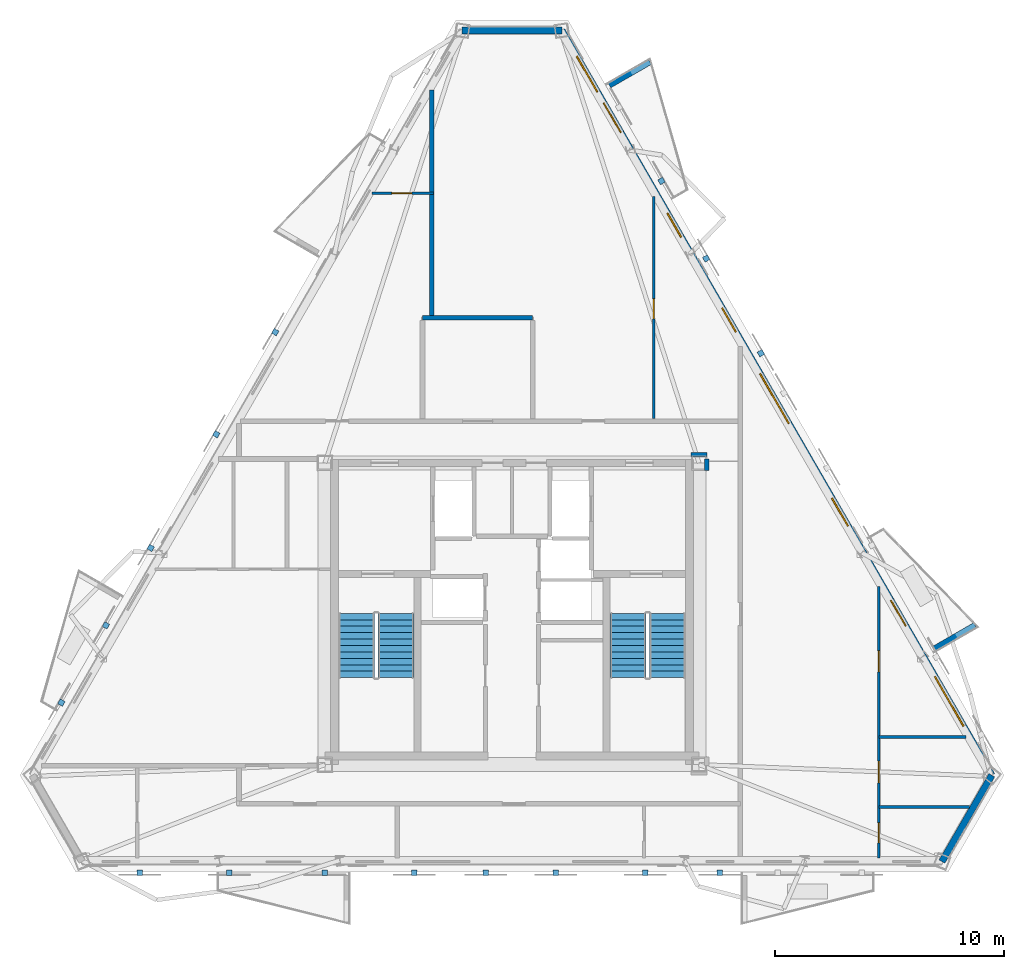
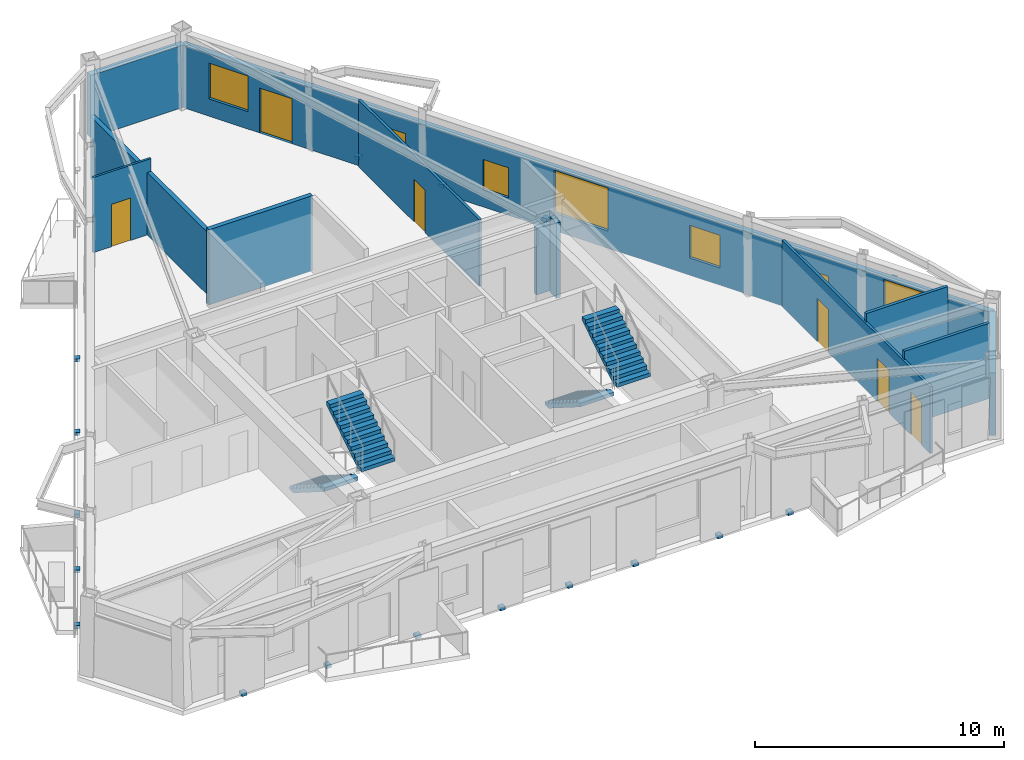
# One storey, part 5 of 9: 16 discrete accessories, 14 walls, 7 doors, 6 windows, 4 stair flights, 13 openings, 2 elements without a shape of their own.
"""IFC4 building model written with IfcOpenShell, lengths in metres."""

from ifc_helpers import new_model, si_unit, direction, frame, frame_2d, origin, origin_2d, place, context, subcontext, project, spatial, polyline, rectangle, outline, extrude, material, layer, layer_set, type_object, element, fill, aggregate, save


model = new_model("IFC4")

# Units and contexts
model_context = context("Model", 3, precision=1e-05, world=origin(), true_north=direction((0.0, 1.0)))
body_context = subcontext(model_context, "Body", "Model", "MODEL_VIEW")
ifc_project = project(units=[si_unit("LENGTHUNIT", "METRE"), si_unit("AREAUNIT", "SQUARE_METRE"), si_unit("VOLUMEUNIT", "CUBIC_METRE"), si_unit("PLANEANGLEUNIT", "RADIAN"), si_unit("MASSUNIT", "GRAM", prefix="KILO")], contexts=[model_context])

# Site, building, storey
site_placement = place(None, origin())
site = spatial("IfcSite", under=ifc_project, at=site_placement, CompositionType="ELEMENT")
building_placement = place(site_placement, origin())
building = spatial("IfcBuilding", under=site, at=building_placement, Name="Oramaril Tower", CompositionType="ELEMENT")
storey_placement = place(building_placement, frame((0.0, 0.0, 285.0)))
storey = spatial("IfcBuildingStorey", under=building, at=storey_placement, Name="L75", CompositionType="ELEMENT", Elevation=285.0)

# Wall
ifc_material_1 = material(Name="Warm Cream Limestone", Category="masonry")
ifc_layer_1 = layer(ifc_material_1, 0.2900390625)
ifc_layer_set_1 = layer_set([ifc_layer_1], Name="WT-EXT29")
wall_type_1 = type_object("IfcWallType", Name="WT-EXT29", PredefinedType="SOLIDWALL", material=ifc_layer_set_1)
wall_1_placement = place(storey_placement, frame((56.240478515625, 6.769775390625, 0.0), z_axis=(0.0, 0.0, 1.0), x_axis=(0.499997871204, 0.866026632842, 0.0)))
element("IfcWall", 1, at=wall_1_placement, inside=storey, type_object=wall_type_1, Name="L75 Tower Limestone Facade Wall 3M", PredefinedType="SOLIDWALL", context=body_context, shape_type="SweptSolid", body=[
    extrude(rectangle(XDim=4.34814453125, YDim=0.2900390625, at=frame_2d((2.174072265625, 0.0))), origin(), (0.0, 0.0, 1.0), 3.05810546875),
])

# Wall, openings, doors, windows
wall_2_placement = place(storey_placement, frame((58.41455078125, 10.535400390625, 0.0), z_axis=(0.0, 0.0, 1.0), x_axis=(-0.499999864727, 0.866025481884, 0.0)))
wall_2 = element("IfcWall", 2, at=wall_2_placement, inside=storey, type_object=wall_type_1, Name="L75 Tower Limestone Facade Wall 4M", PredefinedType="SOLIDWALL", context=body_context, shape_type="SweptSolid", body=[
    extrude(rectangle(XDim=37.48095703125, YDim=0.2900390625, at=frame_2d((18.740478515625, 0.0))), origin(), (0.0, 0.0, 1.0), 3.05810546875),
])
opening_1_placement = place(wall_2_placement, frame((7.50439453125, 0.0, 0.0)))
opening_1 = element("IfcOpeningElement", 3, at=opening_1_placement, cuts=wall_2, Name="Opening D-L75-BAL-NE1", PredefinedType="OPENING", context=body_context, shape_type="SweptSolid", body=[
    extrude(rectangle(XDim=1.300048828125, YDim=2.199951171875, at=frame_2d((0.64990234375, 1.10009765625))), frame((0.0, 0.14501953125, 0.0), z_axis=(0.0, -1.0, 0.0), x_axis=(1.0, 0.0, 0.0)), (0.0, 0.0, 1.0), 0.2900390625),
])
opening_2_placement = place(wall_2_placement, frame((32.34130859375, 0.0, 0.0)))
opening_2 = element("IfcOpeningElement", 4, at=opening_2_placement, cuts=wall_2, Name="Opening D-L75-BAL-NE2", PredefinedType="OPENING", context=body_context, shape_type="SweptSolid", body=[
    extrude(rectangle(XDim=1.5, YDim=2.199951171875, at=frame_2d((0.75, 1.10009765625))), frame((0.0, 0.14501953125, 0.0), z_axis=(0.0, -1.0, 0.0), x_axis=(1.0, 0.0, 0.0)), (0.0, 0.0, 1.0), 0.2900390625),
])
opening_3_placement = place(wall_2_placement, frame((12.540283203125, 0.0, 0.85009765625)))
opening_3 = element("IfcOpeningElement", 5, at=opening_3_placement, cuts=wall_2, Name="Opening WN-08", PredefinedType="OPENING", context=body_context, shape_type="SweptSolid", body=[
    extrude(rectangle(XDim=1.39990234375, YDim=1.60009765625, at=frame_2d((0.699951171875, 0.800048828125))), frame((0.0, 0.14501953125, 0.0), z_axis=(0.0, -1.0, 0.0), x_axis=(1.0, 0.0, 0.0)), (0.0, 0.0, 1.0), 0.2900390625),
])
opening_4_placement = place(wall_2_placement, frame((17.70458984375, 0.0, 0.85009765625)))
opening_4 = element("IfcOpeningElement", 6, at=opening_4_placement, cuts=wall_2, Name="Opening WN-11", PredefinedType="OPENING", context=body_context, shape_type="SweptSolid", body=[
    extrude(rectangle(XDim=2.5, YDim=2.097900390625, at=frame_2d((1.25, 1.048828125))), frame((0.0, 0.14501953125, 0.0), z_axis=(0.0, -1.0, 0.0), x_axis=(1.0, 0.0, 0.0)), (0.0, 0.0, 1.0), 0.2900390625),
])
opening_5_placement = place(wall_2_placement, frame((2.466796875, 0.0, 0.85009765625)))
opening_5 = element("IfcOpeningElement", 7, at=opening_5_placement, cuts=wall_2, Name="Opening WN-11", PredefinedType="OPENING", context=body_context, shape_type="SweptSolid", body=[
    extrude(rectangle(XDim=2.5, YDim=2.097900390625, at=frame_2d((1.25, 1.048828125))), frame((0.0, 0.14501953125, 0.0), z_axis=(0.0, -1.0, 0.0), x_axis=(1.0, 0.0, 0.0)), (0.0, 0.0, 1.0), 0.2900390625),
])
opening_6_placement = place(wall_2_placement, frame((27.081298828125, 0.0, 0.85009765625)))
opening_6 = element("IfcOpeningElement", 8, at=opening_6_placement, cuts=wall_2, Name="Opening WN-09", PredefinedType="OPENING", context=body_context, shape_type="SweptSolid", body=[
    extrude(rectangle(XDim=1.199951171875, YDim=1.47998046875, at=frame_2d((0.60009765625, 0.739990234375))), frame((0.0, 0.14501953125, 0.0), z_axis=(0.0, -1.0, 0.0), x_axis=(1.0, 0.0, 0.0)), (0.0, 0.0, 1.0), 0.2900390625),
])
opening_7_placement = place(wall_2_placement, frame((34.3876953125, 0.0, 0.85009765625)))
opening_7 = element("IfcOpeningElement", 9, at=opening_7_placement, cuts=wall_2, Name="Opening WN-06", PredefinedType="OPENING", context=body_context, shape_type="SweptSolid", body=[
    extrude(rectangle(XDim=1.800048828125, YDim=1.75, at=frame_2d((0.89990234375, 0.875))), frame((0.0, 0.14501953125, 0.0), z_axis=(0.0, -1.0, 0.0), x_axis=(1.0, 0.0, 0.0)), (0.0, 0.0, 1.0), 0.2900390625),
])
opening_8_placement = place(wall_2_placement, frame((22.3125, 0.0, 0.85009765625)))
opening_8 = element("IfcOpeningElement", 10, at=opening_8_placement, cuts=wall_2, Name="Opening WN-09", PredefinedType="OPENING", context=body_context, shape_type="SweptSolid", body=[
    extrude(rectangle(XDim=1.199951171875, YDim=1.47998046875, at=frame_2d((0.60009765625, 0.739990234375))), frame((0.0, 0.14501953125, 0.0), z_axis=(0.0, -1.0, 0.0), x_axis=(1.0, 0.0, 0.0)), (0.0, 0.0, 1.0), 0.2900390625),
])
ifc_material_2 = material(Name="Anodised Aluminium 6063-T6", Category="aluminium")
door_type_1 = type_object("IfcDoorType", Name="DT-BAL", OperationType="NOTDEFINED", PredefinedType="DOOR", material=ifc_material_2)
door_1_placement = place(opening_2_placement, origin())
door_1 = element("IfcDoor", 11, at=door_1_placement, inside=storey, type_object=door_type_1, Name="L75 Balcony Glazed Door L75-BAL-NE2", OperationType="SINGLE_SWING_LEFT", OverallHeight=2.199951171875, OverallWidth=1.5, PredefinedType="DOOR", context=body_context, shape_type="SweptSolid", body=[
    extrude(rectangle(XDim=1.5, YDim=2.199951171875, at=frame_2d((0.75, 1.10009765625))), frame((0.0, 0.02490234375, 0.0), z_axis=(0.0, -1.0, 0.0), x_axis=(1.0, 0.0, 0.0)), (0.0, 0.0, 1.0), 0.050048828125),
])
fill(opening_2, door_1)
ifc_material_3 = material(Name="Anodised Aluminium 6063-T6", Category="aluminium")
door_type_2 = type_object("IfcDoorType", Name="DT-E2", OperationType="NOTDEFINED", PredefinedType="DOOR", material=ifc_material_3)
door_2_placement = place(opening_1_placement, origin())
door_2 = element("IfcDoor", 12, at=door_2_placement, inside=storey, type_object=door_type_2, Name="L75 Balcony Glazed Door L75-BAL-NE1", OperationType="SINGLE_SWING_RIGHT", OverallHeight=2.199951171875, OverallWidth=1.300048828125, PredefinedType="DOOR", context=body_context, shape_type="SweptSolid", body=[
    extrude(rectangle(XDim=1.300048828125, YDim=2.199951171875, at=frame_2d((0.64990234375, 1.10009765625))), frame((0.0, 0.02490234375, 0.0), z_axis=(0.0, -1.0, 0.0), x_axis=(1.0, 0.0, 0.0)), (0.0, 0.0, 1.0), 0.050048828125),
])
fill(opening_1, door_2)
ifc_material_4 = material(Name="Coastal Low-E Insulated Glass", Category="glass")
window_type_1 = type_object("IfcWindowType", Name="WNT-06", PartitioningType="SINGLE_PANEL", PredefinedType="WINDOW", material=ifc_material_4)
window_1_placement = place(opening_7_placement, origin())
window_1 = element("IfcWindow", 13, at=window_1_placement, inside=storey, type_object=window_type_1, Name="L75 Chicago Bay Window WN-06", OverallHeight=1.75, OverallWidth=1.800048828125, PartitioningType="SINGLE_PANEL", PredefinedType="WINDOW", context=body_context, shape_type="SweptSolid", body=[
    extrude(rectangle(XDim=1.800048828125, YDim=1.75, at=frame_2d((0.89990234375, 0.875))), frame((0.0, 0.030029296875, 0.0), z_axis=(0.0, -1.0, 0.0), x_axis=(1.0, 0.0, 0.0)), (0.0, 0.0, 1.0), 0.06005859375),
])
fill(opening_7, window_1)
ifc_material_5 = material(Name="Coastal Low-E Insulated Glass", Category="glass")
window_type_2 = type_object("IfcWindowType", Name="WNT-08", PartitioningType="SINGLE_PANEL", PredefinedType="WINDOW", material=ifc_material_5)
window_2_placement = place(opening_3_placement, origin())
window_2 = element("IfcWindow", 14, at=window_2_placement, inside=storey, type_object=window_type_2, Name="L75 Chicago Bay Window WN-08", OverallHeight=1.60009765625, OverallWidth=1.39990234375, PartitioningType="SINGLE_PANEL", PredefinedType="WINDOW", context=body_context, shape_type="SweptSolid", body=[
    extrude(rectangle(XDim=1.39990234375, YDim=1.60009765625, at=frame_2d((0.699951171875, 0.800048828125))), frame((0.0, 0.030029296875, 0.0), z_axis=(0.0, -1.0, 0.0), x_axis=(1.0, 0.0, 0.0)), (0.0, 0.0, 1.0), 0.06005859375),
])
fill(opening_3, window_2)
ifc_material_6 = material(Name="Coastal Low-E Insulated Glass", Category="glass")
window_type_3 = type_object("IfcWindowType", Name="WNT-09", PartitioningType="SINGLE_PANEL", PredefinedType="WINDOW", material=ifc_material_6)
window_3_placement = place(opening_6_placement, origin())
window_3 = element("IfcWindow", 15, at=window_3_placement, inside=storey, type_object=window_type_3, Name="L75 Chicago Bay Window WN-09", OverallHeight=1.47998046875, OverallWidth=1.199951171875, PartitioningType="SINGLE_PANEL", PredefinedType="WINDOW", context=body_context, shape_type="SweptSolid", body=[
    extrude(rectangle(XDim=1.199951171875, YDim=1.47998046875, at=frame_2d((0.60009765625, 0.739990234375))), frame((0.0, 0.030029296875, 0.0), z_axis=(0.0, -1.0, 0.0), x_axis=(1.0, 0.0, 0.0)), (0.0, 0.0, 1.0), 0.06005859375),
])
fill(opening_6, window_3)
window_4_placement = place(opening_8_placement, origin())
window_4 = element("IfcWindow", 16, at=window_4_placement, inside=storey, type_object=window_type_3, Name="L75 Chicago Bay Window WN-09", OverallHeight=1.47998046875, OverallWidth=1.199951171875, PartitioningType="SINGLE_PANEL", PredefinedType="WINDOW", context=body_context, shape_type="SweptSolid", body=[
    extrude(rectangle(XDim=1.199951171875, YDim=1.47998046875, at=frame_2d((0.60009765625, 0.739990234375))), frame((0.0, 0.030029296875, 0.0), z_axis=(0.0, -1.0, 0.0), x_axis=(1.0, 0.0, 0.0)), (0.0, 0.0, 1.0), 0.06005859375),
])
fill(opening_8, window_4)
ifc_material_7 = material(Name="Coastal Low-E Insulated Glass", Category="glass")
window_type_4 = type_object("IfcWindowType", Name="WNT-11", PartitioningType="SINGLE_PANEL", PredefinedType="WINDOW", material=ifc_material_7)
window_5_placement = place(opening_4_placement, origin())
window_5 = element("IfcWindow", 17, at=window_5_placement, inside=storey, type_object=window_type_4, Name="L75 Chicago Bay Window WN-11", OverallHeight=2.097900390625, OverallWidth=2.5, PartitioningType="SINGLE_PANEL", PredefinedType="WINDOW", context=body_context, shape_type="SweptSolid", body=[
    extrude(rectangle(XDim=2.5, YDim=2.097900390625, at=frame_2d((1.25, 1.048828125))), frame((0.0, 0.030029296875, 0.0), z_axis=(0.0, -1.0, 0.0), x_axis=(1.0, 0.0, 0.0)), (0.0, 0.0, 1.0), 0.06005859375),
])
fill(opening_4, window_5)
window_6_placement = place(opening_5_placement, origin())
window_6 = element("IfcWindow", 18, at=window_6_placement, inside=storey, type_object=window_type_4, Name="L75 Chicago Bay Window WN-11", OverallHeight=2.097900390625, OverallWidth=2.5, PartitioningType="SINGLE_PANEL", PredefinedType="WINDOW", context=body_context, shape_type="SweptSolid", body=[
    extrude(rectangle(XDim=2.5, YDim=2.097900390625, at=frame_2d((1.25, 1.048828125))), frame((0.0, 0.030029296875, 0.0), z_axis=(0.0, -1.0, 0.0), x_axis=(1.0, 0.0, 0.0)), (0.0, 0.0, 1.0), 0.06005859375),
])
fill(opening_5, window_6)

# Walls
wall_3_placement = place(storey_placement, frame((39.674072265625, 42.994873046875, 0.0), z_axis=(0.0, 0.0, 1.0), x_axis=(-1.0, 0.0, 0.0)))
element("IfcWall", 19, at=wall_3_placement, inside=storey, type_object=wall_type_1, Name="L75 Tower Limestone Facade Wall 5M", PredefinedType="SOLIDWALL", context=body_context, shape_type="SweptSolid", body=[
    extrude(rectangle(XDim=4.34814453125, YDim=0.2900390625, at=frame_2d((2.174072265625, 0.0))), origin(), (0.0, 0.0, 1.0), 3.05810546875),
])
ifc_material_8 = material(Name="Concrete C40/50", Category="concrete")
ifc_layer_2 = layer(ifc_material_8, 0.22998046875)
ifc_layer_set_2 = layer_set([ifc_layer_2], Name="WT-PRP23")
wall_type_2 = type_object("IfcWallType", Name="WT-PRP23", PredefinedType="PARAPET", material=ifc_layer_set_2)
for number, where, z_axis, x_axis, name in (
    (20, (55.91259765625, 16.064697265625, 0.0), (0.0, 0.0, 1.0), (0.866042246008, 0.499970827278, 0.0), "L75 Trapezoidal Balcony Frame Cheek L75-BAL-NE1-L"),
    (21, (41.749267578125, 40.5966796875, 0.0), (0.0, 0.0, 1.0), (0.866012356593, 0.500022597718, 0.0), "L75 Trapezoidal Balcony Frame Cheek L75-BAL-NE2-R"),
):
    element("IfcWall", number, at=place(storey_placement, frame(where, z_axis=z_axis, x_axis=x_axis)), inside=storey, type_object=wall_type_2, Name=name, PredefinedType="PARAPET", context=body_context, shape_type="SweptSolid", body=[
        extrude(outline(polyline([(0.0, 0.0), (2.0419921875, 0.0), (2.0419921875, 1.10009765625), (0.0, 1.320068359375), (0.0, 0.0)])), frame((0.0, 0.114990234375, 0.0), z_axis=(0.0, -1.0, 0.0), x_axis=(1.0, 0.0, 0.0)), (0.0, 0.0, 1.0), 0.22998046875),
    ])

# Wall, opening, door
ifc_material_9 = material(Name="Acoustic Gypsum Board Partition")
ifc_layer_3 = layer(ifc_material_9, 0.10009765625)
ifc_layer_set_3 = layer_set([ifc_layer_3], Name="WT-PT10")
wall_type_3 = type_object("IfcWallType", Name="WT-PT10", PredefinedType="PARTITIONING", material=ifc_layer_set_3)
wall_4_placement = place(storey_placement, frame((31.40185546875, 35.89990234375, 0.0), z_axis=(0.0, 0.0, 1.0), x_axis=(1.0, 0.0, 0.0)))
wall_4 = element("IfcWall", 22, at=wall_4_placement, inside=storey, type_object=wall_type_3, Name="L75 Interior Partition PT-10", PredefinedType="PARTITIONING", context=body_context, shape_type="SweptSolid", body=[
    extrude(rectangle(XDim=2.68017578125, YDim=0.10009765625, at=frame_2d((1.340087890625, 0.0))), origin(), (0.0, 0.0, 1.0), 3.679931640625),
])
opening_9_placement = place(wall_4_placement, frame((0.85791015625, 0.0, 0.0)))
opening_9 = element("IfcOpeningElement", 23, at=opening_9_placement, cuts=wall_4, Name="Opening D-L75-10", PredefinedType="OPENING", context=body_context, shape_type="SweptSolid", body=[
    extrude(rectangle(XDim=0.8798828125, YDim=2.080078125, at=frame_2d((0.43994140625, 1.0400390625))), frame((0.0, 0.050048828125, 0.0), z_axis=(0.0, -1.0, 0.0), x_axis=(1.0, 0.0, 0.0)), (0.0, 0.0, 1.0), 0.10009765625),
])
ifc_material_10 = material(Name="FSC Brazilian Freijo Hardwood", Category="wood")
door_type_3 = type_object("IfcDoorType", Name="DT-BATH", OperationType="NOTDEFINED", PredefinedType="DOOR", material=ifc_material_10)
door_3_placement = place(opening_9_placement, origin())
door_3 = element("IfcDoor", 24, at=door_3_placement, inside=storey, type_object=door_type_3, Name="L75 Flat L75-U5 Bathroom Door D-L75-10", OperationType="SINGLE_SWING_LEFT", OverallHeight=2.080078125, OverallWidth=0.8798828125, PredefinedType="DOOR", context=body_context, shape_type="SweptSolid", body=[
    extrude(rectangle(XDim=0.8798828125, YDim=2.080078125, at=frame_2d((0.43994140625, 1.0400390625))), frame((0.0, 0.02490234375, 0.0), z_axis=(0.0, -1.0, 0.0), x_axis=(1.0, 0.0, 0.0)), (0.0, 0.0, 1.0), 0.050048828125),
])
fill(opening_9, door_3)

ifc_material_11 = material(Name="Acoustic Gypsum Board Partition")
ifc_layer_4 = layer(ifc_material_11, 0.1201171875)
ifc_layer_set_4 = layer_set([ifc_layer_4], Name="WT-PT12")
wall_type_4 = type_object("IfcWallType", Name="WT-PT12", PredefinedType="PARTITIONING", material=ifc_layer_set_4)
wall_5_placement = place(storey_placement, frame((43.679931640625, 26.073974609375, 0.0), z_axis=(0.0, 0.0, 1.0), x_axis=(0.0, 1.0, 0.0)))
wall_5 = element("IfcWall", 25, at=wall_5_placement, inside=storey, type_object=wall_type_4, Name="L75 Interior Partition PT-12", PredefinedType="PARTITIONING", context=body_context, shape_type="SweptSolid", body=[
    extrude(rectangle(XDim=9.684326171875, YDim=0.1201171875, at=frame_2d((4.84228515625, 0.0))), origin(), (0.0, 0.0, 1.0), 3.26611328125),
])
opening_10_placement = place(wall_5_placement, frame((4.348388671875, 0.0, 0.0)))
opening_10 = element("IfcOpeningElement", 26, at=opening_10_placement, cuts=wall_5, Name="Opening D-L75-13", PredefinedType="OPENING", context=body_context, shape_type="SweptSolid", body=[
    extrude(rectangle(XDim=0.8798828125, YDim=2.080078125, at=frame_2d((0.43994140625, 1.0400390625))), frame((0.0, 0.06005859375, 0.0), z_axis=(0.0, -1.0, 0.0), x_axis=(1.0, 0.0, 0.0)), (0.0, 0.0, 1.0), 0.1201171875),
])
door_4_placement = place(opening_10_placement, origin())
door_4 = element("IfcDoor", 27, at=door_4_placement, inside=storey, type_object=door_type_3, Name="L75 Flat L75-U6 Bathroom Door D-L75-13", OperationType="SINGLE_SWING_RIGHT", OverallHeight=2.080078125, OverallWidth=0.8798828125, PredefinedType="DOOR", context=body_context, shape_type="SweptSolid", body=[
    extrude(rectangle(XDim=0.8798828125, YDim=2.080078125, at=frame_2d((0.43994140625, 1.0400390625))), frame((0.0, 0.02490234375, 0.0), z_axis=(0.0, -1.0, 0.0), x_axis=(1.0, 0.0, 0.0)), (0.0, 0.0, 1.0), 0.050048828125),
])
fill(opening_10, door_4)

# Wall, openings, doors
wall_6_placement = place(storey_placement, frame((53.489990234375, 6.918701171875, 0.0), z_axis=(0.0, 0.0, 1.0), x_axis=(0.0, 1.0, 0.0)))
wall_6 = element("IfcWall", 28, at=wall_6_placement, inside=storey, type_object=wall_type_4, Name="L75 Interior Partition PT-12", PredefinedType="PARTITIONING", context=body_context, shape_type="SweptSolid", body=[
    extrude(rectangle(XDim=11.848388671875, YDim=0.1201171875, at=frame_2d((5.92431640625, 0.0))), origin(), (0.0, 0.0, 1.0), 3.26611328125),
])
opening_11_placement = place(wall_6_placement, frame((0.66259765625, 0.0, 0.0)))
opening_11 = element("IfcOpeningElement", 29, at=opening_11_placement, cuts=wall_6, Name="Opening D-L75-15", PredefinedType="OPENING", context=body_context, shape_type="SweptSolid", body=[
    extrude(rectangle(XDim=0.8798828125, YDim=2.080078125, at=frame_2d((0.43994140625, 1.0400390625))), frame((0.0, 0.06005859375, 0.0), z_axis=(0.0, -1.0, 0.0), x_axis=(1.0, 0.0, 0.0)), (0.0, 0.0, 1.0), 0.1201171875),
])
opening_12_placement = place(wall_6_placement, frame((3.283935546875, 0.0, 0.0)))
opening_12 = element("IfcOpeningElement", 30, at=opening_12_placement, cuts=wall_6, Name="Opening D-L75-16", PredefinedType="OPENING", context=body_context, shape_type="SweptSolid", body=[
    extrude(rectangle(XDim=0.949951171875, YDim=2.10009765625, at=frame_2d((0.47509765625, 1.050048828125))), frame((0.0, 0.06005859375, 0.0), z_axis=(0.0, -1.0, 0.0), x_axis=(1.0, 0.0, 0.0)), (0.0, 0.0, 1.0), 0.1201171875),
])
opening_13_placement = place(wall_6_placement, frame((8.117431640625, 0.0, 0.0)))
opening_13 = element("IfcOpeningElement", 31, at=opening_13_placement, cuts=wall_6, Name="Opening D-L75-17", PredefinedType="OPENING", context=body_context, shape_type="SweptSolid", body=[
    extrude(rectangle(XDim=0.919921875, YDim=2.1201171875, at=frame_2d((0.4599609375, 1.06005859375))), frame((0.0, 0.06005859375, 0.0), z_axis=(0.0, -1.0, 0.0), x_axis=(1.0, 0.0, 0.0)), (0.0, 0.0, 1.0), 0.1201171875),
])
door_5_placement = place(opening_11_placement, origin())
door_5 = element("IfcDoor", 32, at=door_5_placement, inside=storey, type_object=door_type_3, Name="L75 Flat L75-U4 Bathroom Door D-L75-15", OperationType="SINGLE_SWING_RIGHT", OverallHeight=2.080078125, OverallWidth=0.8798828125, PredefinedType="DOOR", context=body_context, shape_type="SweptSolid", body=[
    extrude(rectangle(XDim=0.8798828125, YDim=2.080078125, at=frame_2d((0.43994140625, 1.0400390625))), frame((0.0, 0.02490234375, 0.0), z_axis=(0.0, -1.0, 0.0), x_axis=(1.0, 0.0, 0.0)), (0.0, 0.0, 1.0), 0.050048828125),
])
fill(opening_11, door_5)
ifc_material_12 = material(Name="FSC Brazilian Freijo Hardwood", Category="wood")
door_type_4 = type_object("IfcDoorType", Name="DT-BED", OperationType="NOTDEFINED", PredefinedType="DOOR", material=ifc_material_12)
door_6_placement = place(opening_13_placement, origin())
door_6 = element("IfcDoor", 33, at=door_6_placement, inside=storey, type_object=door_type_4, Name="L75 Flat L75-U4 Master Bedroom Door D-L75-17", OperationType="SINGLE_SWING_RIGHT", OverallHeight=2.1201171875, OverallWidth=0.919921875, PredefinedType="DOOR", context=body_context, shape_type="SweptSolid", body=[
    extrude(rectangle(XDim=0.919921875, YDim=2.1201171875, at=frame_2d((0.4599609375, 1.06005859375))), frame((0.0, 0.02490234375, 0.0), z_axis=(0.0, -1.0, 0.0), x_axis=(1.0, 0.0, 0.0)), (0.0, 0.0, 1.0), 0.050048828125),
])
fill(opening_13, door_6)
ifc_material_13 = material(Name="FSC Brazilian Freijo Hardwood", Category="wood")
door_type_5 = type_object("IfcDoorType", Name="DT-STDY", OperationType="NOTDEFINED", PredefinedType="DOOR", material=ifc_material_13)
door_7_placement = place(opening_12_placement, origin())
door_7 = element("IfcDoor", 34, at=door_7_placement, inside=storey, type_object=door_type_5, Name="L75 Flat L75-U4 Kitchen Door D-L75-16", OperationType="SINGLE_SWING_LEFT", OverallHeight=2.10009765625, OverallWidth=0.949951171875, PredefinedType="DOOR", context=body_context, shape_type="SweptSolid", body=[
    extrude(rectangle(XDim=0.949951171875, YDim=2.10009765625, at=frame_2d((0.47509765625, 1.050048828125))), frame((0.0, 0.02490234375, 0.0), z_axis=(0.0, -1.0, 0.0), x_axis=(1.0, 0.0, 0.0)), (0.0, 0.0, 1.0), 0.050048828125),
])
fill(opening_12, door_7)

# Walls
ifc_material_14 = material(Name="Acoustic Gypsum Board Partition")
ifc_layer_5 = layer(ifc_material_14, 0.139892578125)
ifc_layer_set_5 = layer_set([ifc_layer_5], Name="WT-PT14")
wall_type_5 = type_object("IfcWallType", Name="WT-PT14", PredefinedType="PARTITIONING", material=ifc_layer_set_5)
wall_7_placement = place(storey_placement, frame((53.4931640625, 9.14990234375, 0.0), z_axis=(0.0, 0.0, 1.0), x_axis=(1.0, 0.0, 0.0)))
element("IfcWall", 35, at=wall_7_placement, inside=storey, type_object=wall_type_5, Name="L75 Interior Partition PT-14", PredefinedType="PARTITIONING", context=body_context, shape_type="SweptSolid", body=[
    extrude(rectangle(XDim=3.949462890625, YDim=0.139892578125, at=frame_2d((1.974609375, 0.0))), origin(), (0.0, 0.0, 1.0), 3.679931640625),
])
wall_8_placement = place(storey_placement, frame((53.4931640625, 12.199951171875, 0.0), z_axis=(0.0, 0.0, 1.0), x_axis=(1.0, 0.0, 0.0)))
element("IfcWall", 36, at=wall_8_placement, inside=storey, type_object=wall_type_5, Name="L75 Interior Partition PT-14", PredefinedType="PARTITIONING", context=body_context, shape_type="SweptSolid", body=[
    extrude(rectangle(XDim=3.788330078125, YDim=0.139892578125, at=frame_2d((1.89404296875, 0.0))), origin(), (0.0, 0.0, 1.0), 3.679931640625),
])
ifc_material_15 = material(Name="Autoclaved Cellular Concrete Block", Category="concrete")
ifc_layer_6 = layer(ifc_material_15, 0.199951171875)
ifc_layer_set_6 = layer_set([ifc_layer_6], Name="WT-PT20")
wall_type_6 = type_object("IfcWallType", Name="WT-PT20", PredefinedType="PARTITIONING", material=ifc_layer_set_6)
wall_9_placement = place(storey_placement, frame((45.304931640625, 24.5, 0.0), z_axis=(0.0, 0.0, 1.0), x_axis=(1.0, 0.0, 0.0)))
element("IfcWall", 37, at=wall_9_placement, inside=storey, type_object=wall_type_6, Name="L75 Interior Partition PT-20", PredefinedType="PARTITIONING", context=body_context, shape_type="SweptSolid", body=[
    extrude(rectangle(XDim=0.690185546875, YDim=0.199951171875, at=frame_2d((0.34521484375, 0.0))), origin(), (0.0, 0.0, 1.0), 3.26611328125),
])
wall_10_placement = place(storey_placement, frame((33.60009765625, 30.469970703125, 0.0), z_axis=(0.0, 0.0, 1.0), x_axis=(1.0, 0.0, 0.0)))
element("IfcWall", 38, at=wall_10_placement, inside=storey, type_object=wall_type_6, Name="L75 Interior Partition PT-20", PredefinedType="PARTITIONING", context=body_context, shape_type="SweptSolid", body=[
    extrude(rectangle(XDim=4.7998046875, YDim=0.199951171875, at=frame_2d((2.39990234375, 0.0))), origin(), (0.0, 0.0, 1.0), 3.679931640625),
])
wall_11_placement = place(storey_placement, frame((34.0, 30.573974609375, 0.0), z_axis=(0.0, 0.0, 1.0), x_axis=(0.0, 1.0, 0.0)))
element("IfcWall", 39, at=wall_11_placement, inside=storey, type_object=wall_type_6, Name="L75 Interior Partition PT-20", PredefinedType="PARTITIONING", context=body_context, shape_type="SweptSolid", body=[
    extrude(rectangle(XDim=9.826416015625, YDim=0.199951171875, at=frame_2d((4.9130859375, 0.0))), origin(), (0.0, 0.0, 1.0), 3.05810546875),
])
wall_12_placement = place(storey_placement, frame((45.989990234375, 23.81005859375, 0.0), z_axis=(0.0, 0.0, 1.0), x_axis=(0.0, 1.0, 0.0)))
element("IfcWall", 40, at=wall_12_placement, inside=storey, type_object=wall_type_6, Name="L75 Interior Partition PT-20", PredefinedType="PARTITIONING", context=body_context, shape_type="SweptSolid", body=[
    extrude(rectangle(XDim=0.510009765625, YDim=0.199951171875, at=frame_2d((0.2548828125, 0.0))), origin(), (0.0, 0.0, 1.0), 3.679931640625),
])

# Stair, stair flights
ifc_material_16 = material(Name="Concrete C50/60", Category="concrete")
stair_type = type_object("IfcStairType", Name="STT-DG-3900", PredefinedType="HALF_TURN_STAIR", material=ifc_material_16)
stair_1_placement = place(storey_placement, origin())
stair_1 = element("IfcStair", 41, at=stair_1_placement, inside=storey, type_object=stair_type, Name="L75 Protected PFP Exit Stair ST-1", PredefinedType="HALF_TURN_STAIR")
ifc_material_17 = material(Name="Concrete C50/60", Category="concrete")
stair_flight_type = type_object("IfcStairFlightType", Name="SFT-DG-3900", PredefinedType="STRAIGHT", material=ifc_material_17)
stair_flight_1_placement = place(storey_placement, frame((30.72998046875, 17.590087890625, 0.0), z_axis=(0.0, 0.0, 1.0), x_axis=(0.0, -1.0, 0.0)))
stair_flight_1 = element("IfcStairFlight", 42, at=stair_flight_1_placement, type_object=stair_flight_type, Name="ST-1 flight 1", NumberOfRisers=11, NumberOfTreads=10, PredefinedType="STRAIGHT", RiserHeight=0.177272727, TreadLength=0.28, context=body_context, shape_type="SweptSolid", body=[
    extrude(outline(polyline([(0.0, 0.0), (0.0, 0.17724609375), (0.280029296875, 0.17724609375), (0.280029296875, 0.3544921875), (0.56005859375, 0.3544921875), (0.56005859375, 0.53173828125), (0.840087890625, 0.53173828125), (0.840087890625, 0.708984375), (1.1201171875, 0.708984375), (1.1201171875, 0.886474609375), (1.39990234375, 0.886474609375), (1.39990234375, 1.063720703125), (1.679931640625, 1.063720703125), (1.679931640625, 1.240966796875), (1.9599609375, 1.240966796875), (1.9599609375, 1.418212890625), (2.239990234375, 1.418212890625), (2.239990234375, 1.595458984375), (2.52001953125, 1.595458984375), (2.52001953125, 1.772705078125), (2.800048828125, 1.772705078125), (2.800048828125, 1.949951171875), (2.800048828125, 1.59521484375), (0.2802734375, 0.0), (0.0, 0.0)])), frame((0.0, 0.780029296875, 0.0), z_axis=(0.0, -1.0, 0.0), x_axis=(1.0, 0.0, 0.0)), (0.0, 0.0, 1.0), 1.56005859375),
])
stair_flight_2_placement = place(storey_placement, frame((32.43994140625, 14.7900390625, 1.949951171875), z_axis=(0.0, 0.0, 1.0), x_axis=(0.0, 1.0, 0.0)))
stair_flight_2 = element("IfcStairFlight", 43, at=stair_flight_2_placement, type_object=stair_flight_type, Name="ST-1 flight 2", NumberOfRisers=11, NumberOfTreads=10, PredefinedType="STRAIGHT", RiserHeight=0.177272727, TreadLength=0.28, context=body_context, shape_type="SweptSolid", body=[
    extrude(outline(polyline([(0.0, 0.0), (0.0, 0.17724609375), (0.280029296875, 0.17724609375), (0.280029296875, 0.3544921875), (0.56005859375, 0.3544921875), (0.56005859375, 0.53173828125), (0.840087890625, 0.53173828125), (0.840087890625, 0.708984375), (1.1201171875, 0.708984375), (1.1201171875, 0.886474609375), (1.39990234375, 0.886474609375), (1.39990234375, 1.063720703125), (1.679931640625, 1.063720703125), (1.679931640625, 1.240966796875), (1.9599609375, 1.240966796875), (1.9599609375, 1.418212890625), (2.239990234375, 1.418212890625), (2.239990234375, 1.595458984375), (2.52001953125, 1.595458984375), (2.52001953125, 1.772705078125), (2.800048828125, 1.772705078125), (2.800048828125, 1.949951171875), (2.800048828125, 1.59521484375), (0.2802734375, 0.0), (0.0, 0.0)])), frame((0.0, 0.780029296875, 0.0), z_axis=(0.0, -1.0, 0.0), x_axis=(1.0, 0.0, 0.0)), (0.0, 0.0, 1.0), 1.56005859375),
])
aggregate(stair_1, [stair_flight_1, stair_flight_2])

stair_2_placement = place(storey_placement, origin())
stair_2 = element("IfcStair", 44, at=stair_2_placement, inside=storey, type_object=stair_type, Name="L75 Protected PFP Exit Stair ST-2", PredefinedType="HALF_TURN_STAIR")
stair_flight_3_placement = place(storey_placement, frame((42.56005859375, 17.590087890625, 0.0), z_axis=(0.0, 0.0, 1.0), x_axis=(0.0, -1.0, 0.0)))
stair_flight_3 = element("IfcStairFlight", 45, at=stair_flight_3_placement, type_object=stair_flight_type, Name="ST-2 flight 1", NumberOfRisers=11, NumberOfTreads=10, PredefinedType="STRAIGHT", RiserHeight=0.177272727, TreadLength=0.28, context=body_context, shape_type="SweptSolid", body=[
    extrude(outline(polyline([(0.0, 0.0), (0.0, 0.17724609375), (0.280029296875, 0.17724609375), (0.280029296875, 0.3544921875), (0.56005859375, 0.3544921875), (0.56005859375, 0.53173828125), (0.840087890625, 0.53173828125), (0.840087890625, 0.708984375), (1.1201171875, 0.708984375), (1.1201171875, 0.886474609375), (1.39990234375, 0.886474609375), (1.39990234375, 1.063720703125), (1.679931640625, 1.063720703125), (1.679931640625, 1.240966796875), (1.9599609375, 1.240966796875), (1.9599609375, 1.418212890625), (2.239990234375, 1.418212890625), (2.239990234375, 1.595458984375), (2.52001953125, 1.595458984375), (2.52001953125, 1.772705078125), (2.800048828125, 1.772705078125), (2.800048828125, 1.949951171875), (2.800048828125, 1.59521484375), (0.2802734375, 0.0), (0.0, 0.0)])), frame((0.0, 0.780029296875, 0.0), z_axis=(0.0, -1.0, 0.0), x_axis=(1.0, 0.0, 0.0)), (0.0, 0.0, 1.0), 1.56005859375),
])
stair_flight_4_placement = place(storey_placement, frame((44.27001953125, 14.7900390625, 1.949951171875), z_axis=(0.0, 0.0, 1.0), x_axis=(0.0, 1.0, 0.0)))
stair_flight_4 = element("IfcStairFlight", 46, at=stair_flight_4_placement, type_object=stair_flight_type, Name="ST-2 flight 2", NumberOfRisers=11, NumberOfTreads=10, PredefinedType="STRAIGHT", RiserHeight=0.177272727, TreadLength=0.28, context=body_context, shape_type="SweptSolid", body=[
    extrude(outline(polyline([(0.0, 0.0), (0.0, 0.17724609375), (0.280029296875, 0.17724609375), (0.280029296875, 0.3544921875), (0.56005859375, 0.3544921875), (0.56005859375, 0.53173828125), (0.840087890625, 0.53173828125), (0.840087890625, 0.708984375), (1.1201171875, 0.708984375), (1.1201171875, 0.886474609375), (1.39990234375, 0.886474609375), (1.39990234375, 1.063720703125), (1.679931640625, 1.063720703125), (1.679931640625, 1.240966796875), (1.9599609375, 1.240966796875), (1.9599609375, 1.418212890625), (2.239990234375, 1.418212890625), (2.239990234375, 1.595458984375), (2.52001953125, 1.595458984375), (2.52001953125, 1.772705078125), (2.800048828125, 1.772705078125), (2.800048828125, 1.949951171875), (2.800048828125, 1.59521484375), (0.2802734375, 0.0), (0.0, 0.0)])), frame((0.0, 0.780029296875, 0.0), z_axis=(0.0, -1.0, 0.0), x_axis=(1.0, 0.0, 0.0)), (0.0, 0.0, 1.0), 1.56005859375),
])
aggregate(stair_2, [stair_flight_3, stair_flight_4])

# Discrete accessories
for number, where, z_axis, x_axis, name in (
    (47, (21.273681640625, 6.289794921875, -0.14013671875), (0.0, 0.0, 1.0), (1.0, 0.0, 0.0), "L75 Solar Screen Slab Bracket"),
    (48, (25.173583984375, 6.289794921875, -0.14013671875), (0.0, 0.0, 1.0), (1.0, 0.0, 0.0), "L75 Solar Screen Slab Bracket"),
    (49, (29.33544921875, 6.289794921875, -0.14013671875), (0.0, 0.0, 1.0), (1.0, 0.0, 0.0), "L75 Solar Screen Slab Bracket"),
    (50, (33.235595703125, 6.289794921875, -0.14013671875), (0.0, 0.0, 1.0), (1.0, 0.0, 0.0), "L75 Solar Screen Slab Bracket"),
    (51, (36.364990234375, 6.289794921875, -0.14013671875), (0.0, 0.0, 1.0), (1.0, 0.0, 0.0), "L75 Solar Screen Slab Bracket"),
    (52, (39.399169921875, 6.289794921875, -0.14013671875), (0.0, 0.0, 1.0), (1.0, 0.0, 0.0), "L75 Solar Screen Slab Bracket"),
    (53, (43.299072265625, 6.289794921875, -0.14013671875), (0.0, 0.0, 1.0), (1.0, 0.0, 0.0), "L75 Solar Screen Slab Bracket"),
    (54, (46.56591796875, 6.289794921875, -0.14013671875), (0.0, 0.0, 1.0), (1.0, 0.0, 0.0), "L75 Solar Screen Slab Bracket"),
    (55, (45.964599609375, 33.0595703125, -0.14013671875), (0.0, 0.0, 1.0), (-0.5, 0.866025403784, 0.0), "L75 Solar Screen Slab Bracket"),
    (56, (44.014404296875, 36.43701171875, -0.14013671875), (0.0, 0.0, 1.0), (-0.5, 0.866025403784, 0.0), "L75 Solar Screen Slab Bracket"),
    (57, (48.34912109375, 28.929443359375, -0.14013671875), (0.0, 0.0, 1.0), (-0.5, 0.866025403784, 0.0), "L75 Solar Screen Slab Bracket"),
    (58, (17.858154296875, 13.699951171875, -0.14013671875), (0.0, 0.0, 1.0), (-0.5, -0.866025403784, 0.0), "L75 Solar Screen Slab Bracket"),
    (59, (21.751708984375, 20.443603515625, -0.14013671875), (0.0, 0.0, 1.0), (-0.5, -0.866025403784, 0.0), "L75 Solar Screen Slab Bracket"),
    (60, (19.801513671875, 17.06591796875, -0.14013671875), (0.0, 0.0, 1.0), (-0.5, -0.866025403784, 0.0), "L75 Solar Screen Slab Bracket"),
    (61, (24.6103515625, 25.39501953125, -0.14013671875), (0.0, 0.0, 1.0), (-0.5, -0.866025403784, 0.0), "L75 Solar Screen Slab Bracket"),
    (62, (27.180419921875, 29.846435546875, -0.14013671875), (0.0, 0.0, 1.0), (-0.5, -0.866025403784, 0.0), "L75 Solar Screen Slab Bracket"),
):
    element("IfcDiscreteAccessory", number, at=place(storey_placement, frame(where, z_axis=z_axis, x_axis=x_axis)), inside=storey, Name=name, PredefinedType="BRACKET", context=body_context, shape_type="SweptSolid", body=[
        extrude(rectangle(XDim=0.239990234375, YDim=0.239990234375, at=origin_2d()), origin(), (0.0, 0.0, 1.0), 0.159912109375),
    ])

save(model, "model.ifc")
